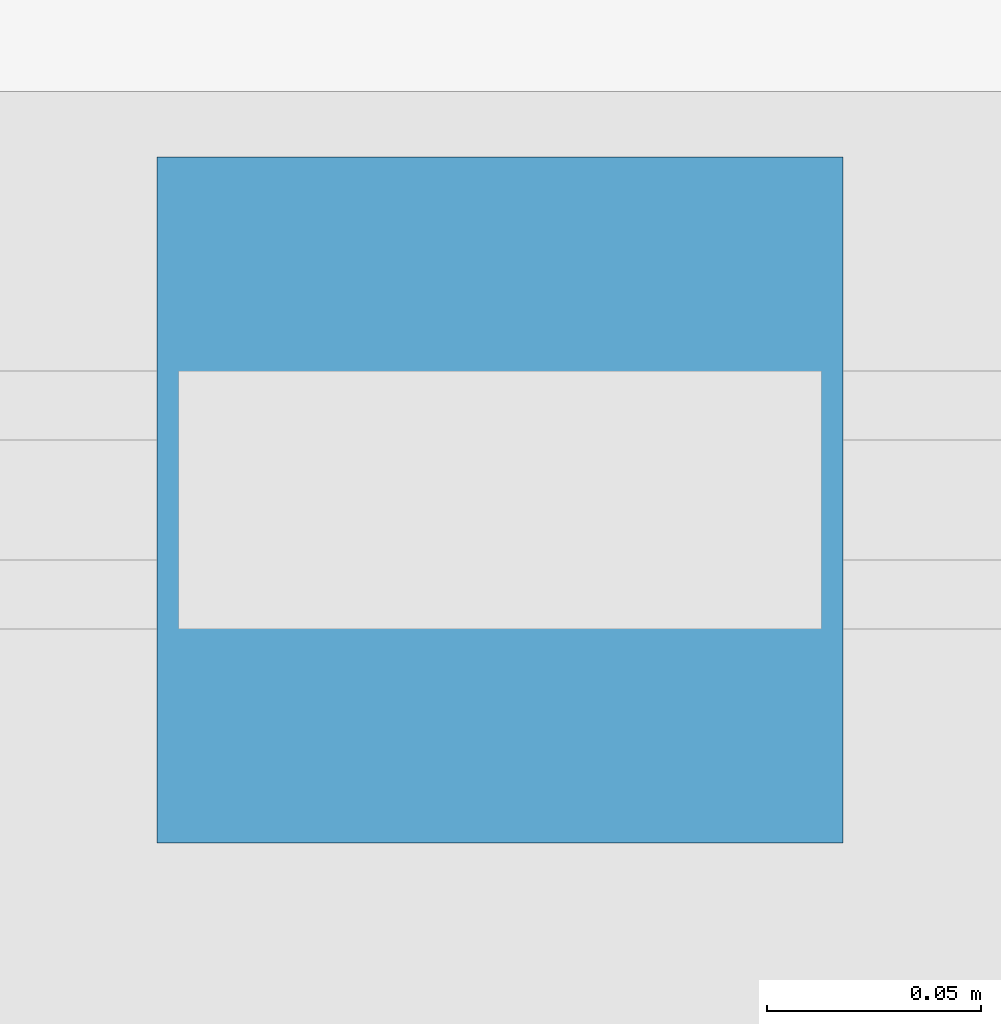
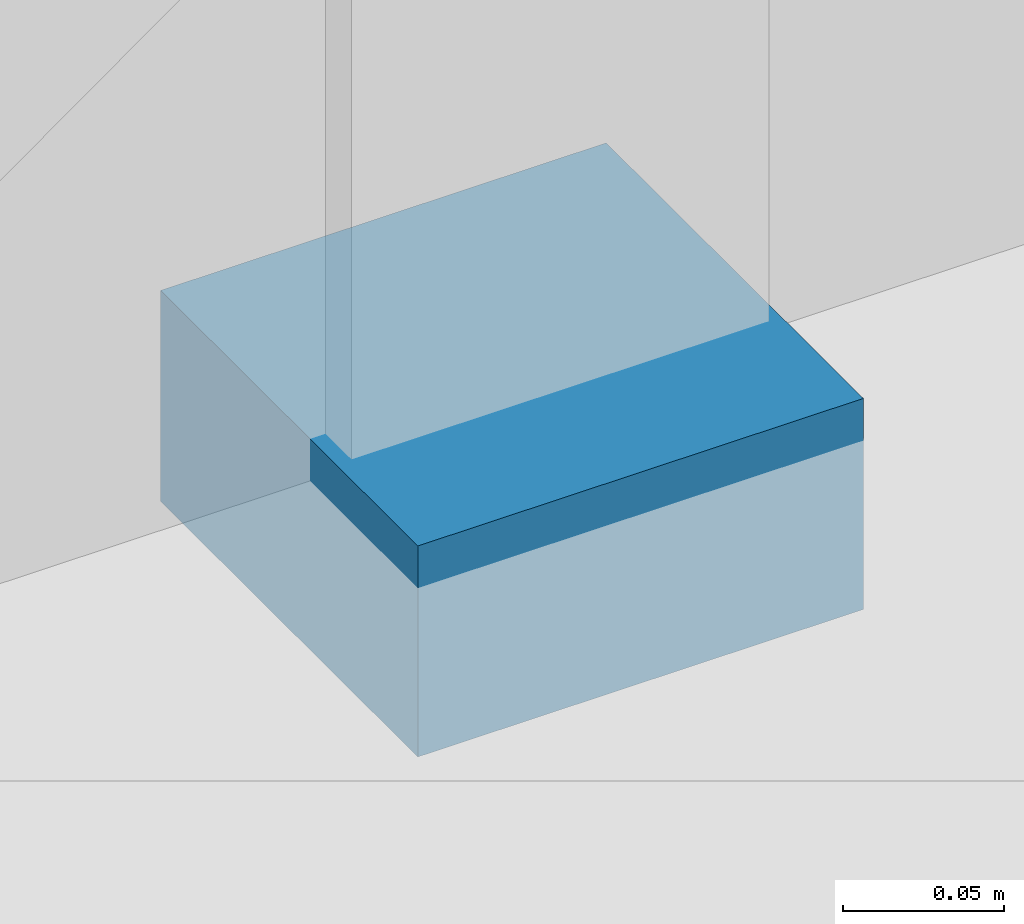
# One storey, part 69 of 83: 1 discrete accessory.
"""IFC4 building model written with IfcOpenShell, lengths in metres."""

from ifc_helpers import new_model, si_unit, direction, frame, origin, origin_2d, place, context, subcontext, project, spatial, rectangle, extrude, material, layer, layer_set, type_object, element, save


model = new_model("IFC4")

# Units and contexts
model_context = context("Model", 3, precision=1e-05, world=origin(), true_north=direction((0.0, 1.0)))
body_context = subcontext(model_context, "Body", "Model", "MODEL_VIEW")
ifc_project = project(units=[si_unit("LENGTHUNIT", "METRE"), si_unit("AREAUNIT", "SQUARE_METRE"), si_unit("VOLUMEUNIT", "CUBIC_METRE"), si_unit("PLANEANGLEUNIT", "RADIAN"), si_unit("MASSUNIT", "GRAM", prefix="KILO")], contexts=[model_context])

# Site, building, storey
site_placement = place(None, origin())
site = spatial("IfcSite", under=ifc_project, at=site_placement, CompositionType="ELEMENT")
building_placement = place(site_placement, origin())
building = spatial("IfcBuilding", under=site, at=building_placement, Name="Qaldarim Faculty of Natural and Applied Sciences", CompositionType="ELEMENT")
storey_placement = place(building_placement, frame((0.0, 0.0, 5.39990234375)))
storey = spatial("IfcBuildingStorey", under=building, at=storey_placement, Name="L01", CompositionType="ELEMENT", Elevation=5.39990234375)

# Discrete accessory
ifc_material = material(Name="Architectural stainless steel 316", Category="steel")
ifc_layer = layer(ifc_material, 0.080078125)
ifc_layer_set = layer_set([ifc_layer], Name="Architectural stainless steel 316")
discrete_accessory_type = type_object("IfcDiscreteAccessoryType", Name="FacadeBracket-SS120", PredefinedType="BRACKET", material=ifc_layer_set)
discrete_accessory_placement = place(storey_placement, frame((174.89990234375, 100.8798828125, 3.81005859375), z_axis=(0.0, 0.0, 1.0), x_axis=(1.0, 0.0, 0.0)))
element("IfcDiscreteAccessory", 1, at=discrete_accessory_placement, inside=storey, type_object=discrete_accessory_type, Name="Solar louvre support bracket SHD-L01-S-X27Y13", PredefinedType="BRACKET", context=body_context, shape_type="SweptSolid", body=[
    extrude(rectangle(XDim=0.159912109375, YDim=0.159912109375, at=origin_2d()), origin(), (0.0, 0.0, 1.0), 0.080078125),
])

save(model, "model.ifc")
